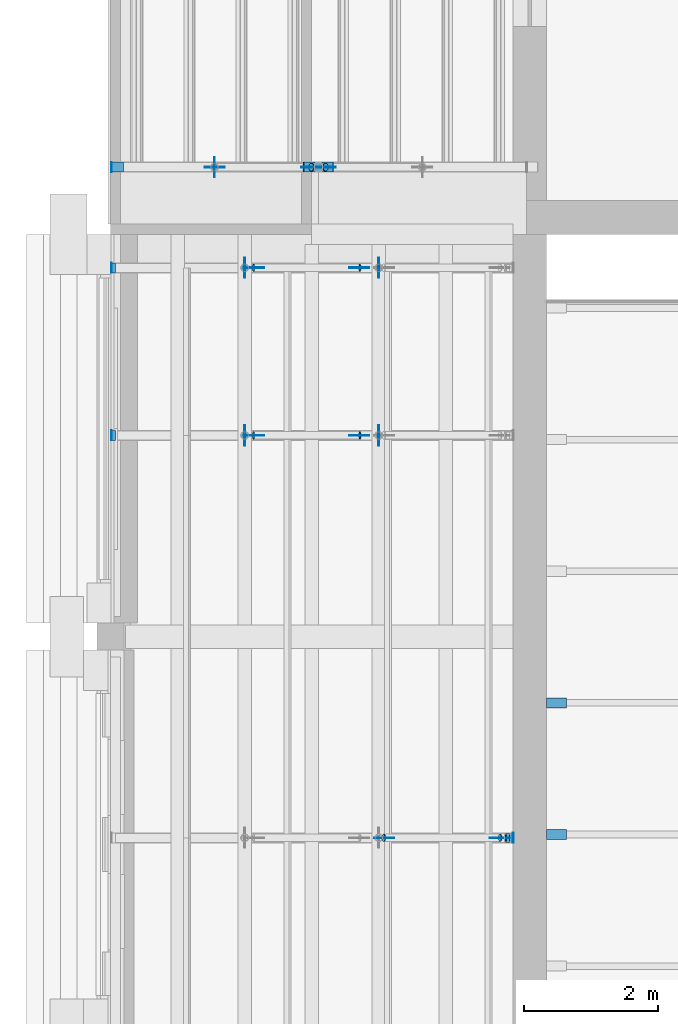
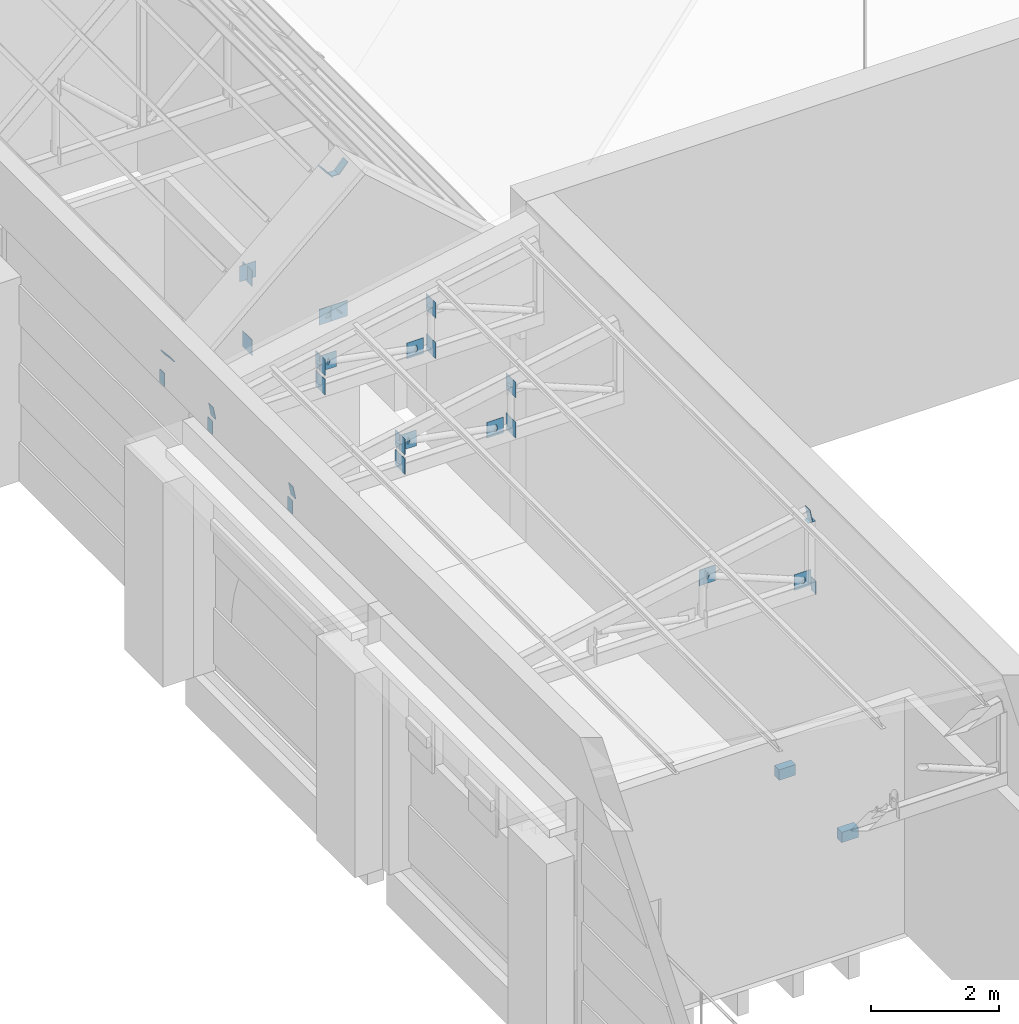
# One storey, part 95 of 118: 45 discrete accessories.
"""IFC4 building model written with IfcOpenShell, lengths in metres."""

from ifc_helpers import new_model, si_unit, direction, frame, origin, origin_2d, place, context, subcontext, project, spatial, rectangle, circle, extrude, material, material_profile, profile_set, type_object, element, save


model = new_model("IFC4")

# Units and contexts
model_context = context("Model", 3, precision=1e-05, world=origin(), true_north=direction((0.0, 1.0)))
body_context = subcontext(model_context, "Body", "Model", "MODEL_VIEW")
ifc_project = project(units=[si_unit("LENGTHUNIT", "METRE"), si_unit("AREAUNIT", "SQUARE_METRE"), si_unit("VOLUMEUNIT", "CUBIC_METRE"), si_unit("PLANEANGLEUNIT", "RADIAN"), si_unit("MASSUNIT", "GRAM", prefix="KILO")], contexts=[model_context])

# Site, building, storey
site_placement = place(None, origin())
site = spatial("IfcSite", under=ifc_project, at=site_placement, CompositionType="ELEMENT")
building_placement = place(site_placement, origin())
building = spatial("IfcBuilding", under=site, at=building_placement, Name="Saffron Lane Theatres", CompositionType="ELEMENT")
storey_placement = place(building_placement, frame((0.0, 0.0, 16.5)))
storey = spatial("IfcBuildingStorey", under=building, at=storey_placement, Name="L03", CompositionType="ELEMENT", Elevation=16.5)

# Discrete accessories
ifc_material_1 = material(Name="Steel Grade 350", Category="steel")
ifc_material_profile_1 = material_profile(ifc_material_1, rectangle(XDim=0.300048828125, YDim=0.300048828125, at=origin_2d()))
ifc_profile_set_1 = profile_set([ifc_material_profile_1], Name="Steel Grade 350")
discrete_accessory_type_1 = type_object("IfcDiscreteAccessoryType", Name="ST-GUSSET CONNECTION PLATE", PredefinedType="BRACKET", material=ifc_profile_set_1)
for number, where, z_axis, x_axis, name in (
    (1, (13.544921875, 55.0, 4.75), (1.0, 0.0, 0.0), (0.0, 1.0, 0.0), "GB217"),
    (2, (13.544921875, 55.0, 6.073486328125), (1.0, 0.0, 0.0), (0.0, 1.0, 0.0), "GB218"),
):
    element("IfcDiscreteAccessory", number, at=place(storey_placement, frame(where, z_axis=z_axis, x_axis=x_axis)), inside=storey, type_object=discrete_accessory_type_1, Name=name, PredefinedType="BRACKET", context=body_context, shape_type="SweptSolid", body=[
        extrude(rectangle(XDim=0.300048828125, YDim=0.300048828125, at=origin_2d()), origin(), (0.0, 0.0, 1.0), 0.010009765625),
    ])
for number, where, z_axis, x_axis, name in (
    (3, (14.991943359375, 54.9951171875, 4.7919921875), (0.0, 1.0, 0.0), (-1.0, 0.0, 0.0), "GB221"),
    (4, (13.55419921875, 54.9951171875, 6.120361328125), (0.0, 1.0, 0.0), (-1.0, 0.0, 0.0), "GB222"),
    (5, (15.2080078125, 54.9951171875, 4.7919921875), (0.0, 1.0, 0.0), (-1.0, 0.0, 0.0), "GB223"),
    (6, (17.80517578125, 44.9951171875, 4.802978515625), (0.0, 1.0, 0.0), (-1.0, 0.0, 0.0), "GB357"),
    (7, (16.082275390625, 44.9951171875, 5.493896484375), (0.0, 1.0, 0.0), (-1.0, 0.0, 0.0), "GB358"),
    (8, (13.9951171875, 51.0, 4.75), (1.0, 0.0, 0.0), (0.0, 1.0, 0.0), "GB361"),
    (9, (13.9951171875, 51.0, 5.127197265625), (1.0, 0.0, 0.0), (0.0, 1.0, 0.0), "GB362"),
    (10, (15.9951171875, 51.0, 4.75), (1.0, 0.0, 0.0), (0.0, 1.0, 0.0), "GB363"),
    (11, (15.9951171875, 51.0, 5.515625), (1.0, 0.0, 0.0), (0.0, 1.0, 0.0), "GB364"),
    (12, (15.711181640625, 50.9951171875, 4.80615234375), (0.0, 1.0, 0.0), (-1.0, 0.0, 0.0), "GB367"),
    (13, (14.138916015625, 50.9951171875, 5.111328125), (0.0, 1.0, 0.0), (-1.0, 0.0, 0.0), "GB368"),
    (14, (13.9951171875, 53.5, 4.75), (1.0, 0.0, 0.0), (0.0, 1.0, 0.0), "GB369"),
    (15, (13.9951171875, 53.5, 5.127197265625), (1.0, 0.0, 0.0), (0.0, 1.0, 0.0), "GB370"),
    (16, (15.9951171875, 53.5, 4.75), (1.0, 0.0, 0.0), (0.0, 1.0, 0.0), "GB371"),
    (17, (15.9951171875, 53.5, 5.515625), (1.0, 0.0, 0.0), (0.0, 1.0, 0.0), "GB372"),
    (18, (15.711181640625, 53.4951171875, 4.80615234375), (0.0, 1.0, 0.0), (-1.0, 0.0, 0.0), "GB375"),
    (19, (14.138916015625, 53.4951171875, 5.111328125), (0.0, 1.0, 0.0), (-1.0, 0.0, 0.0), "GB376"),
):
    element("IfcDiscreteAccessory", number, at=place(storey_placement, frame(where, z_axis=z_axis, x_axis=x_axis)), inside=storey, type_object=discrete_accessory_type_1, Name=name, PredefinedType="BRACKET", context=body_context, shape_type="SweptSolid", body=[
        extrude(rectangle(XDim=0.300048828125, YDim=0.300048828125, at=origin_2d()), origin(), (0.0, 0.0, 1.0), 0.009765625),
    ])
ifc_material_2 = material(Name="Steel Grade 350", Category="steel")
ifc_material_profile_2 = material_profile(ifc_material_2, circle(Radius=0.05712890625, at=origin_2d()))
ifc_profile_set_2 = profile_set([ifc_material_profile_2], Name="Steel Grade 350")
discrete_accessory_type_2 = type_object("IfcDiscreteAccessoryType", Name="ST-STEEL END CAP 114.3x6.0 CHS", PredefinedType="ANCHORPLATE", material=ifc_profile_set_2)
discrete_accessory_1_placement = place(storey_placement, frame((15.0009765625, 55.0, 4.783935546875), z_axis=(-0.746295434469, 0.0, 0.665614846958), x_axis=(0.0, -1.0, 0.0)))
element("IfcDiscreteAccessory", 20, at=discrete_accessory_1_placement, inside=storey, type_object=discrete_accessory_type_2, Name="EC336", PredefinedType="ANCHORPLATE", context=body_context, shape_type="SweptSolid", body=[
    extrude(circle(Radius=0.05712890625, at=origin_2d()), origin(), (0.0, 0.0, 1.0), 0.01220703125),
])
for number, where, z_axis, x_axis, name in (
    (21, (15.19921875, 55.0, 4.783935546875), (0.737154140201, 0.0, 0.675724628517), (0.0, 1.0, 0.0), "EC337"),
    (22, (17.81640625, 45.0, 4.798583984375), (-0.931242779706, 0.0, 0.364399348581), (0.0, -1.0, 0.0), "EC491"),
    (23, (16.082275390625, 45.0, 5.493896484375), (-0.931242779706, 0.0, 0.364399348581), (0.0, -1.0, 0.0), "EC492"),
):
    element("IfcDiscreteAccessory", number, at=place(storey_placement, frame(where, z_axis=z_axis, x_axis=x_axis)), inside=storey, type_object=discrete_accessory_type_2, Name=name, PredefinedType="ANCHORPLATE", context=body_context, shape_type="SweptSolid", body=[
        extrude(circle(Radius=0.05712890625, at=origin_2d()), origin(), (0.0, 0.0, 1.0), 0.011962890625),
    ])
discrete_accessory_2_placement = place(storey_placement, frame((14.0, 51.0, 5.127197265625), z_axis=(0.0, 0.0, 1.0), x_axis=(1.0, 0.0, 0.0)))
element("IfcDiscreteAccessory", 24, at=discrete_accessory_2_placement, inside=storey, type_object=discrete_accessory_type_2, Name="EC500", PredefinedType="ANCHORPLATE", context=body_context, shape_type="SweptSolid", body=[
    extrude(circle(Radius=0.05712890625, at=origin_2d()), origin(), (0.0, 0.0, 1.0), 0.01220703125),
])
for number, where, z_axis, x_axis, name in (
    (25, (16.0, 51.0, 5.515625), (0.0, 0.0, 1.0), (1.0, 0.0, 0.0), "EC501"),
    (26, (15.722900390625, 51.0, 4.8037109375), (-0.978980419738, 0.0, 0.203954254112), (0.0, -1.0, 0.0), "EC504"),
    (27, (14.138916015625, 51.0, 5.111328125), (-0.978980419738, 0.0, 0.203954254112), (0.0, -1.0, 0.0), "EC505"),
):
    element("IfcDiscreteAccessory", number, at=place(storey_placement, frame(where, z_axis=z_axis, x_axis=x_axis)), inside=storey, type_object=discrete_accessory_type_2, Name=name, PredefinedType="ANCHORPLATE", context=body_context, shape_type="SweptSolid", body=[
        extrude(circle(Radius=0.05712890625, at=origin_2d()), origin(), (0.0, 0.0, 1.0), 0.011962890625),
    ])
discrete_accessory_3_placement = place(storey_placement, frame((14.0, 53.5, 5.127197265625), z_axis=(0.0, 0.0, 1.0), x_axis=(1.0, 0.0, 0.0)))
element("IfcDiscreteAccessory", 28, at=discrete_accessory_3_placement, inside=storey, type_object=discrete_accessory_type_2, Name="EC511", PredefinedType="ANCHORPLATE", context=body_context, shape_type="SweptSolid", body=[
    extrude(circle(Radius=0.05712890625, at=origin_2d()), origin(), (0.0, 0.0, 1.0), 0.01220703125),
])
for number, where, z_axis, x_axis, name in (
    (29, (16.0, 53.5, 5.515625), (0.0, 0.0, 1.0), (1.0, 0.0, 0.0), "EC512"),
    (30, (15.722900390625, 53.5, 4.8037109375), (-0.978980419738, 0.0, 0.203954254112), (0.0, -1.0, 0.0), "EC515"),
    (31, (14.138916015625, 53.5, 5.111328125), (-0.978980419738, 0.0, 0.203954254112), (0.0, -1.0, 0.0), "EC516"),
):
    element("IfcDiscreteAccessory", number, at=place(storey_placement, frame(where, z_axis=z_axis, x_axis=x_axis)), inside=storey, type_object=discrete_accessory_type_2, Name=name, PredefinedType="ANCHORPLATE", context=body_context, shape_type="SweptSolid", body=[
        extrude(circle(Radius=0.05712890625, at=origin_2d()), origin(), (0.0, 0.0, 1.0), 0.011962890625),
    ])
ifc_material_3 = material(Name="Steel Grade 350", Category="steel")
ifc_material_profile_3 = material_profile(ifc_material_3, rectangle(XDim=0.125, YDim=0.125, at=origin_2d()))
ifc_profile_set_3 = profile_set([ifc_material_profile_3], Name="Steel Grade 350")
discrete_accessory_type_3 = type_object("IfcDiscreteAccessoryType", Name="ST-STEEL END CAP 125x125x6 SHS", PredefinedType="ANCHORPLATE", material=ifc_profile_set_3)
discrete_accessory_4_placement = place(storey_placement, frame((15.10009765625, 55.0, 7.44287109375), z_axis=(0.0, 0.0, 1.0), x_axis=(1.0, 0.0, 0.0)))
element("IfcDiscreteAccessory", 32, at=discrete_accessory_4_placement, inside=storey, type_object=discrete_accessory_type_3, Name="EC335", PredefinedType="ANCHORPLATE", context=body_context, shape_type="SweptSolid", body=[
    extrude(rectangle(XDim=0.125, YDim=0.125, at=origin_2d()), origin(), (0.0, 0.0, 1.0), 0.01220703125),
])
discrete_accessory_5_placement = place(storey_placement, frame((17.9375, 45.0, 5.890869140625), z_axis=(0.0, 0.0, 1.0), x_axis=(1.0, 0.0, 0.0)))
element("IfcDiscreteAccessory", 33, at=discrete_accessory_5_placement, inside=storey, type_object=discrete_accessory_type_3, Name="EC488", PredefinedType="ANCHORPLATE", context=body_context, shape_type="SweptSolid", body=[
    extrude(rectangle(XDim=0.125, YDim=0.125, at=origin_2d()), origin(), (0.0, 0.0, 1.0), 0.011962890625),
])
ifc_material_4 = material(Name="Steel Grade 350", Category="steel")
ifc_material_profile_4 = material_profile(ifc_material_4, rectangle(XDim=0.14990234375, YDim=0.25, at=origin_2d()))
ifc_profile_set_4 = profile_set([ifc_material_profile_4], Name="Steel Grade 350")
discrete_accessory_type_4 = type_object("IfcDiscreteAccessoryType", Name="ST-STEEL END CAP 250x150x9 RHS", PredefinedType="ANCHORPLATE", material=ifc_profile_set_4)
for number, where, z_axis, x_axis, name in (
    (34, (12.008056640625, 55.0, 4.625), (1.0, 0.0, 0.0), (0.0, 1.0, 0.0), "EC329"),
    (35, (12.10400390625, 55.0, 5.00927734375), (0.756363172452, 0.0, 0.654151932932), (0.0, 1.0, 0.0), "EC331"),
    (36, (14.95458984375, 55.0, 7.53662109375), (0.756363172452, 0.0, 0.654151932932), (0.0, 1.0, 0.0), "EC332"),
    (37, (15.245361328125, 55.0, 7.53662109375), (-0.756363172452, 0.0, 0.654151932932), (0.0, -1.0, 0.0), "EC334"),
    (38, (18.0, 45.0, 4.625), (1.0, 0.0, 0.0), (0.0, 1.0, 0.0), "EC485"),
):
    element("IfcDiscreteAccessory", number, at=place(storey_placement, frame(where, z_axis=z_axis, x_axis=x_axis)), inside=storey, type_object=discrete_accessory_type_4, Name=name, PredefinedType="ANCHORPLATE", context=body_context, shape_type="SweptSolid", body=[
        extrude(rectangle(XDim=0.14990234375, YDim=0.25, at=origin_2d()), origin(), (0.0, 0.0, 1.0), 0.011962890625),
    ])
discrete_accessory_6_placement = place(storey_placement, frame((17.91357421875, 45.0, 6.02587890625), z_axis=(0.983547166232, 0.0, 0.180651520328), x_axis=(0.0, 1.0, 0.0)))
element("IfcDiscreteAccessory", 39, at=discrete_accessory_6_placement, inside=storey, type_object=discrete_accessory_type_4, Name="EC487", PredefinedType="ANCHORPLATE", context=body_context, shape_type="SweptSolid", body=[
    extrude(rectangle(XDim=0.14990234375, YDim=0.25, at=origin_2d()), origin(), (0.0, 0.0, 1.0), 0.01220703125),
])
for number, where, z_axis, x_axis, name in (
    (40, (12.008056640625, 51.0, 4.625), (1.0, 0.0, 0.0), (0.0, 1.0, 0.0), "EC495"),
    (41, (12.0419921875, 51.0, 4.885498046875), (0.982872186934, 0.0, 0.18428853505), (0.0, 1.0, 0.0), "EC497"),
    (42, (12.008056640625, 53.5, 4.625), (1.0, 0.0, 0.0), (0.0, 1.0, 0.0), "EC506"),
    (43, (12.0419921875, 53.5, 4.885498046875), (0.982872186934, 0.0, 0.18428853505), (0.0, 1.0, 0.0), "EC508"),
):
    element("IfcDiscreteAccessory", number, at=place(storey_placement, frame(where, z_axis=z_axis, x_axis=x_axis)), inside=storey, type_object=discrete_accessory_type_4, Name=name, PredefinedType="ANCHORPLATE", context=body_context, shape_type="SweptSolid", body=[
        extrude(rectangle(XDim=0.14990234375, YDim=0.25, at=origin_2d()), origin(), (0.0, 0.0, 1.0), 0.011962890625),
    ])
for number, where, z_axis, x_axis, name in (
    (44, (18.64990234375, 45.050048828125, -0.44775390625), (0.0, 0.0, 1.0), (1.0, 0.0, 0.0), "FKW16.5-6"),
    (45, (18.64990234375, 47.012451171875, -0.44775390625), (0.0, 0.0, 1.0), (1.0, 0.0, 0.0), "FKW16.5-7"),
):
    element("IfcDiscreteAccessory", number, at=place(storey_placement, frame(where, z_axis=z_axis, x_axis=x_axis)), inside=storey, Name=name, PredefinedType="BRACKET", context=body_context, shape_type="SweptSolid", body=[
        extrude(rectangle(XDim=0.300048828125, YDim=0.14990234375, at=origin_2d()), origin(), (0.0, 0.0, 1.0), 0.199951171875),
    ])

save(model, "model.ifc")
